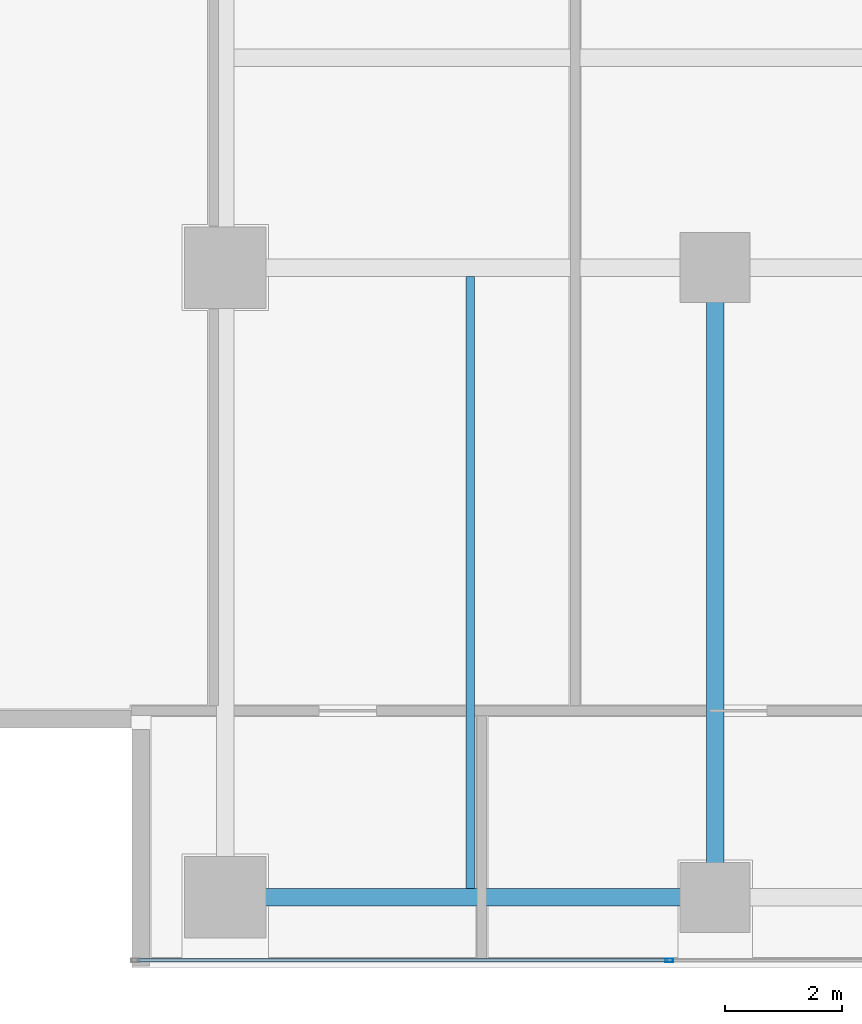
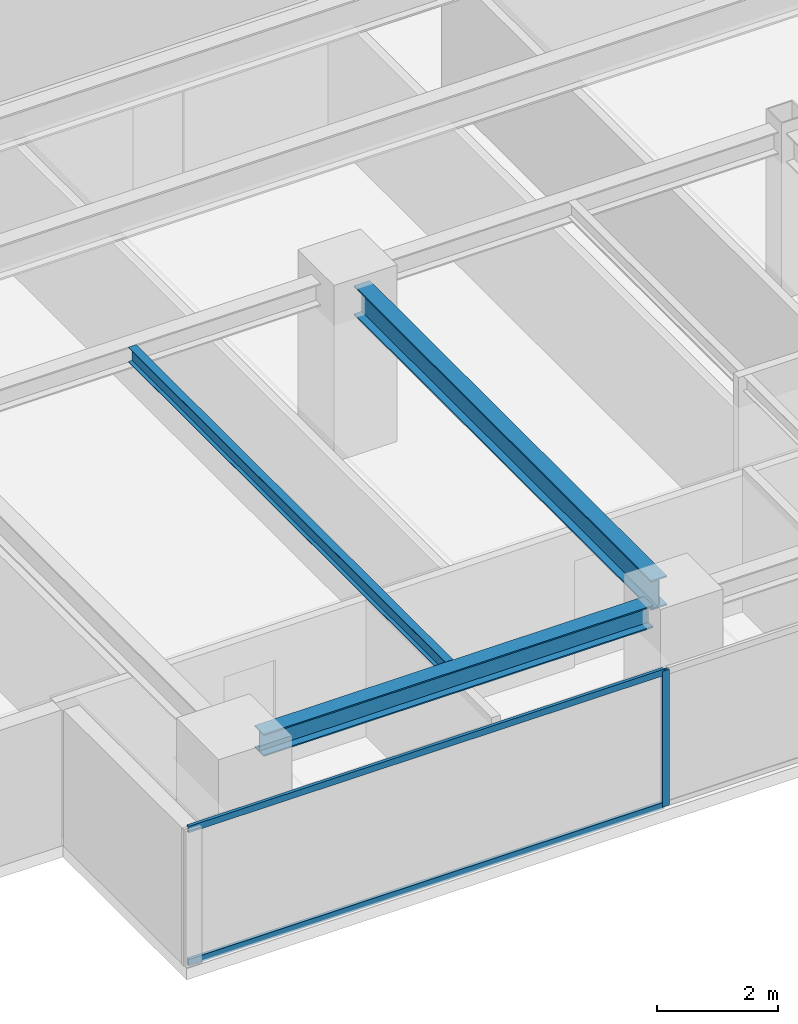
# One storey, part 3 of 26: 3 beams, 3 members, 1 element without a shape of its own.
"""IFC4 building model written with IfcOpenShell, lengths in metres."""

from ifc_helpers import new_model, si_unit, direction, frame, origin, origin_2d, place, context, subcontext, project, spatial, hollow_rectangle, i_section, extrude, source, transform, mapped, material, layer, layer_set, material_profile, profile_set, type_object, element, aggregate, save


model = new_model("IFC4")

# Units and contexts
model_context = context("Model", 3, precision=1e-05, world=origin(), true_north=direction((0.0, 1.0)))
body_context = subcontext(model_context, "Body", "Model", "MODEL_VIEW")
ifc_project = project(units=[si_unit("LENGTHUNIT", "METRE"), si_unit("AREAUNIT", "SQUARE_METRE"), si_unit("VOLUMEUNIT", "CUBIC_METRE"), si_unit("PLANEANGLEUNIT", "RADIAN"), si_unit("MASSUNIT", "GRAM", prefix="KILO")], contexts=[model_context])

# Site, building, storey
site_placement = place(None, origin())
site = spatial("IfcSite", under=ifc_project, at=site_placement, CompositionType="ELEMENT")
building_placement = place(site_placement, origin())
building = spatial("IfcBuilding", under=site, at=building_placement, Name="Sumidabori Civic Tower", CompositionType="ELEMENT")
storey_placement = place(building_placement, frame((0.0, 0.0, 261.199951171875)))
storey = spatial("IfcBuildingStorey", under=building, at=storey_placement, Name="L68", CompositionType="ELEMENT", Elevation=261.199951171875)

# Beams
ifc_material_1 = material(Name="Steel SN490", Category="steel")
ifc_material_profile_1 = material_profile(ifc_material_1, i_section(OverallWidth=0.300048828125, OverallDepth=0.60009765625, WebThickness=0.015380859375, FlangeThickness=0.030029296875, at=origin_2d()), Name="HE 600 B")
ifc_profile_set_1 = profile_set([ifc_material_profile_1], Name="Steel SN490")
beam_type_1 = type_object("IfcBeamType", Name="BM-GIRD-600", PredefinedType="BEAM", material=ifc_profile_set_1)
shared_shape_1 = source(origin(), body_context, "Body", "SweptSolid", [
    extrude(i_section(OverallWidth=0.300048828125, OverallDepth=0.60009765625, WebThickness=0.015380859375, FlangeThickness=0.030029296875, at=origin_2d()), origin(), (0.0, 0.0, 1.0), 9.840087890625),
])
beam_1_placement = place(storey_placement, frame((-8.39990234375, -10.320068359375, 3.070068359375), z_axis=(0.0, 1.0, 0.0), x_axis=(-1.0, 0.0, 0.0)))
element("IfcBeam", 1, at=beam_1_placement, inside=storey, type_object=beam_type_1, Name="Primary Girder L68 GY-12", PredefinedType="BEAM", context=body_context, shape_type="MappedRepresentation", body=[
    mapped(shared_shape_1, transform((0.0, 0.0, 0.0), x_axis=(1.0, 0.0, 0.0), y_axis=(0.0, 1.0, 0.0), z_axis=(0.0, 0.0, 1.0), scale=1.0)),
])
ifc_material_profile_2 = material_profile(ifc_material_1, i_section(OverallWidth=0.300048828125, OverallDepth=0.449951171875, WebThickness=0.013916015625, FlangeThickness=0.02587890625, at=origin_2d()), Name="HE 450 B")
ifc_profile_set_2 = profile_set([ifc_material_profile_2], Name="Steel SN490")
beam_type_2 = type_object("IfcBeamType", Name="BM-GIRD-450", PredefinedType="BEAM", material=ifc_profile_set_2)
shared_shape_2 = source(origin(), body_context, "Body", "SweptSolid", [
    extrude(i_section(OverallWidth=0.300048828125, OverallDepth=0.449951171875, WebThickness=0.013916015625, FlangeThickness=0.02587890625, at=origin_2d()), origin(), (0.0, 0.0, 1.0), 7.440185546875),
])
beam_2_placement = place(storey_placement, frame((-16.320068359375, -10.800048828125, 3.14501953125), z_axis=(1.0, 0.0, 0.0), x_axis=(0.0, 1.0, 0.0)))
element("IfcBeam", 2, at=beam_2_placement, inside=storey, type_object=beam_type_2, Name="Primary Girder L68 GX-01", PredefinedType="BEAM", context=body_context, shape_type="MappedRepresentation", body=[
    mapped(shared_shape_2, transform((0.0, 0.0, 0.0), x_axis=(1.0, 0.0, 0.0), y_axis=(0.0, 1.0, 0.0), z_axis=(0.0, 0.0, 1.0), scale=1.0)),
])
ifc_material_profile_3 = material_profile(ifc_material_1, i_section(OverallWidth=0.14990234375, OverallDepth=0.300048828125, WebThickness=0.007080078125, FlangeThickness=0.0107421875, at=origin_2d()), Name="IPE 300")
ifc_profile_set_3 = profile_set([ifc_material_profile_3], Name="Steel SN490")
beam_type_3 = type_object("IfcBeamType", Name="BM-JST-300", PredefinedType="JOIST", material=ifc_profile_set_3)
shared_shape_3 = source(origin(), body_context, "Body", "SweptSolid", [
    extrude(i_section(OverallWidth=0.14990234375, OverallDepth=0.300048828125, WebThickness=0.007080078125, FlangeThickness=0.0107421875, at=origin_2d()), origin(), (0.0, 0.0, 1.0), 10.5),
])
beam_3_placement = place(storey_placement, frame((-12.60009765625, -10.64990234375, 3.219970703125), z_axis=(0.0, 1.0, 0.0), x_axis=(-1.0, 0.0, 0.0)))
element("IfcBeam", 3, at=beam_3_placement, inside=storey, type_object=beam_type_3, Name="Upper Lens N-S Floor Joist L68 JSTV-20", PredefinedType="JOIST", context=body_context, shape_type="MappedRepresentation", body=[
    mapped(shared_shape_3, transform((0.0, 0.0, 0.0), x_axis=(1.0, 0.0, 0.0), y_axis=(0.0, 1.0, 0.0), z_axis=(0.0, 0.0, 1.0), scale=1.0)),
])

# Curtain wall, members
ifc_material_2 = material(Name="Anodised Bronze Aluminium AW-6063-T6", Category="aluminium")
ifc_layer = layer(ifc_material_2, 0.179931640625, Name="Anodised Bronze Aluminium AW-6063-T6")
ifc_layer_set = layer_set([ifc_layer], Name="Anodised Bronze Aluminium AW-6063-T6")
curtain_wall_type = type_object("IfcCurtainWallType", Name="CW-SYS-5", PredefinedType="NOTDEFINED", material=ifc_layer_set)
curtain_wall_placement = place(storey_placement, origin())
curtain_wall = element("IfcCurtainWall", 4, at=curtain_wall_placement, inside=storey, type_object=curtain_wall_type, Name="Curtain Wall CW:L68:R01", PredefinedType="NOTDEFINED")
ifc_material_profile_4 = material_profile(ifc_material_2, hollow_rectangle(XDim=0.06005859375, YDim=0.1298828125, WallThickness=0.0048828125, at=origin_2d()), Name="ALU TRANSOM 130x60")
ifc_profile_set_4 = profile_set([ifc_material_profile_4], Name="Anodised Bronze Aluminium AW-6063-T6")
member_type_1 = type_object("IfcMemberType", Name="CW-TRN-130", PredefinedType="USERDEFINED", material=ifc_profile_set_4)
shared_shape_4 = source(origin(), body_context, "Body", "SweptSolid", [
    extrude(hollow_rectangle(XDim=0.06005859375, YDim=0.1298828125, WallThickness=0.0048828125, at=origin_2d()), origin(), (0.0, 0.0, 1.0), 9.094970703125),
])
member_1_placement = place(storey_placement, frame((-18.31005859375, -11.8798828125, 0.030029296875), z_axis=(1.0, 0.0, 0.0), x_axis=(0.0, 1.0, 0.0)))
member_1 = element("IfcMember", 5, at=member_1_placement, type_object=member_type_1, Name="CW-5 transom 1.1", ObjectType="TRANSOM", PredefinedType="USERDEFINED", context=body_context, shape_type="MappedRepresentation", body=[
    mapped(shared_shape_4, transform((0.0, 0.0, 0.0), x_axis=(1.0, 0.0, 0.0), y_axis=(0.0, 1.0, 0.0), z_axis=(0.0, 0.0, 1.0), scale=1.0)),
])
member_2_placement = place(storey_placement, frame((-18.31005859375, -11.8798828125, 2.719970703125), z_axis=(1.0, 0.0, 0.0), x_axis=(0.0, 1.0, 0.0)))
member_2 = element("IfcMember", 6, at=member_2_placement, type_object=member_type_1, Name="CW-5 transom 1.2", ObjectType="TRANSOM", PredefinedType="USERDEFINED", context=body_context, shape_type="MappedRepresentation", body=[
    mapped(shared_shape_4, transform((0.0, 0.0, 0.0), x_axis=(1.0, 0.0, 0.0), y_axis=(0.0, 1.0, 0.0), z_axis=(0.0, 0.0, 1.0), scale=1.0)),
])
ifc_material_profile_5 = material_profile(ifc_material_2, hollow_rectangle(XDim=0.06005859375, YDim=0.139892578125, WallThickness=0.0048828125, at=origin_2d()), Name="ALU MULLION 140x60")
ifc_profile_set_5 = profile_set([ifc_material_profile_5], Name="Anodised Bronze Aluminium AW-6063-T6")
member_type_2 = type_object("IfcMemberType", Name="CW-MUL-140", PredefinedType="MULLION", material=ifc_profile_set_5)
shared_shape_5 = source(origin(), body_context, "Body", "SweptSolid", [
    extrude(hollow_rectangle(XDim=0.06005859375, YDim=0.139892578125, WallThickness=0.0048828125, at=origin_2d()), origin(), (0.0, 0.0, 1.0), 2.75),
])
member_3_placement = place(storey_placement, frame((-9.18505859375, -11.8798828125, 0.0), z_axis=(0.0, 0.0, 1.0), x_axis=(0.0, 1.0, 0.0)))
member_3 = element("IfcMember", 7, at=member_3_placement, type_object=member_type_2, Name="CW-5 mullion 2", PredefinedType="MULLION", context=body_context, shape_type="MappedRepresentation", body=[
    mapped(shared_shape_5, transform((0.0, 0.0, 0.0), x_axis=(1.0, 0.0, 0.0), y_axis=(0.0, 1.0, 0.0), z_axis=(0.0, 0.0, 1.0), scale=1.0)),
])
aggregate(curtain_wall, [member_3, member_1, member_2])

save(model, "model.ifc")
